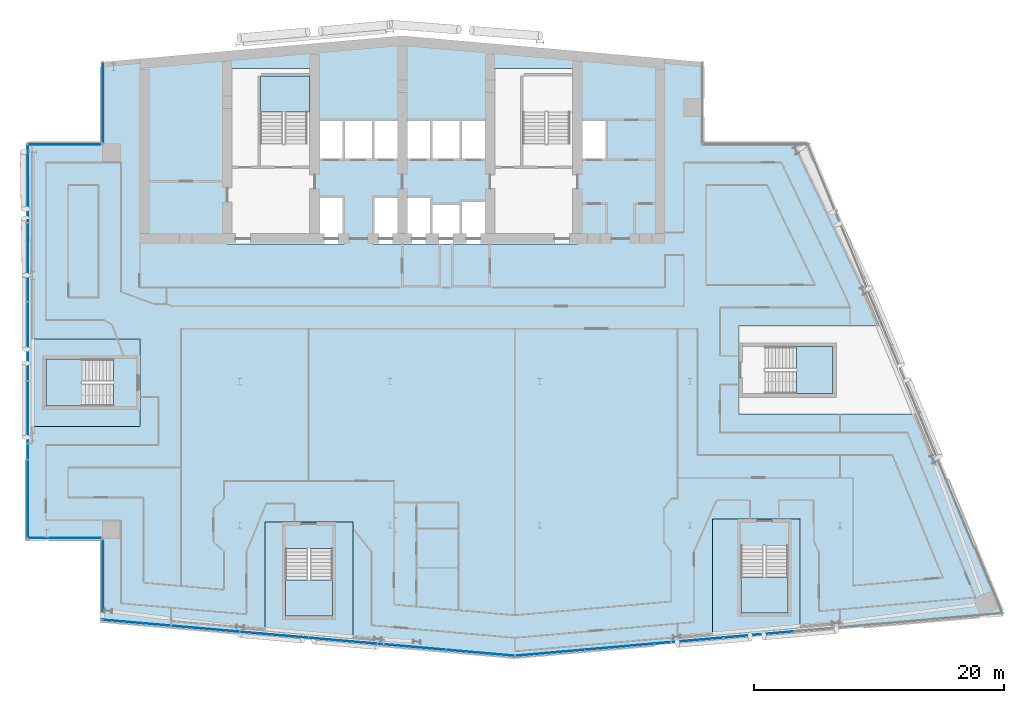
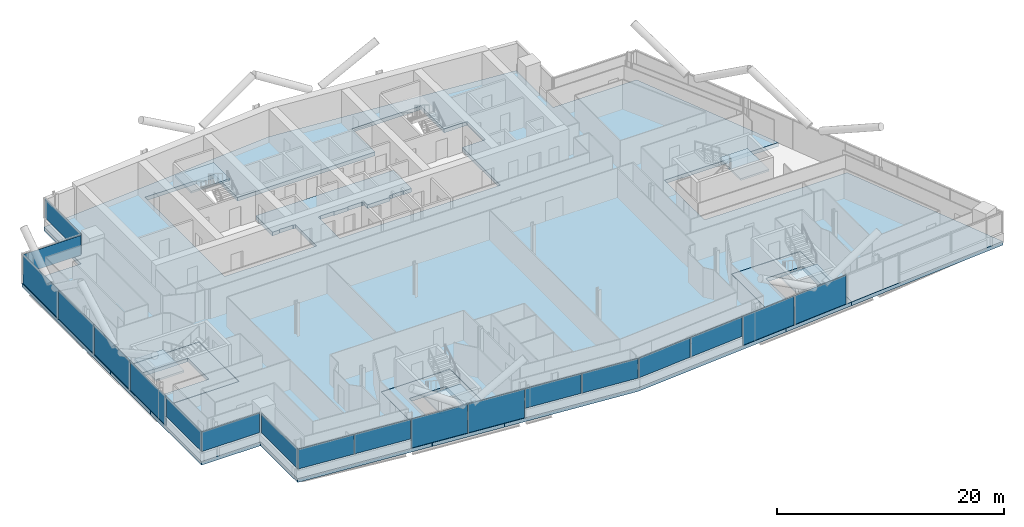
# One storey, part 12 of 28: 19 plates, 9 slabs, 12 elements without a shape of their own.
"""IFC4 building model written with IfcOpenShell, lengths in metres."""

from ifc_helpers import new_model, si_unit, direction, frame, origin, origin_2d, place, context, subcontext, project, spatial, polyline, rectangle, outline, extrude, material, layer, layer_set, type_object, element, aggregate, save


model = new_model("IFC4")

# Units and contexts
model_context = context("Model", 3, precision=1e-05, world=origin(), true_north=direction((0.0, 1.0)))
body_context = subcontext(model_context, "Body", "Model", "MODEL_VIEW")
ifc_project = project(units=[si_unit("LENGTHUNIT", "METRE"), si_unit("AREAUNIT", "SQUARE_METRE"), si_unit("VOLUMEUNIT", "CUBIC_METRE"), si_unit("PLANEANGLEUNIT", "RADIAN"), si_unit("MASSUNIT", "GRAM", prefix="KILO")], contexts=[model_context])

# Site, building, storey
site_placement = place(None, origin())
site = spatial("IfcSite", under=ifc_project, at=site_placement, CompositionType="ELEMENT")
building_placement = place(site_placement, origin())
building = spatial("IfcBuilding", under=site, at=building_placement, Name="Wharfspan Tower", CompositionType="ELEMENT")
storey_placement = place(building_placement, frame((0.0, 0.0, 187.899902)))
storey = spatial("IfcBuildingStorey", under=building, at=storey_placement, Name="L46", CompositionType="ELEMENT", Elevation=187.899902)

# Curtain wall, plates
ifc_material_1 = material(Name="Aluminium 6063-T6", Category="aluminium")
curtain_wall_type_1 = type_object("IfcCurtainWallType", Name="CURTAIN WALL FACETED FRONT", PredefinedType="NOTDEFINED", material=ifc_material_1)
curtain_wall_1_placement = place(storey_placement, origin())
curtain_wall_1 = element("IfcCurtainWall", 1, at=curtain_wall_1_placement, inside=storey, type_object=curtain_wall_type_1, Name="Curtain wall S1", PredefinedType="NOTDEFINED")
ifc_material_2 = material(Name="Glass clear low-iron double glazing", Category="glass")
ifc_layer_1 = layer(ifc_material_2, 0.040039)
ifc_layer_set_1 = layer_set([ifc_layer_1], Name="Glass clear low-iron double glazing")
plate_type_1 = type_object("IfcPlateType", Name="GLASS PANEL FACETED FRONT 40", PredefinedType="CURTAIN_PANEL", material=ifc_layer_set_1)
plate_1_placement = place(storey_placement, frame((15.770264, 3.692871, 1.0), z_axis=(0.0, 0.0, 1.0), x_axis=(0.996198, -0.087156, 0.0)))
plate_1 = element("IfcPlate", 2, at=plate_1_placement, type_object=plate_type_1, Name="Curtain wall S1 panel 1", PredefinedType="CURTAIN_PANEL", context=body_context, shape_type="SweptSolid", body=[
    extrude(rectangle(XDim=5.430908, YDim=0.040039, at=origin_2d()), origin(), (0.0, 0.0, 1.0), 2.120117),
])
plate_2_placement = place(storey_placement, frame((21.255127, 3.213135, 1.0), z_axis=(0.0, 0.0, 1.0), x_axis=(0.996198, -0.087156, 0.0)))
plate_2 = element("IfcPlate", 3, at=plate_2_placement, type_object=plate_type_1, Name="Curtain wall S1 panel 2", PredefinedType="CURTAIN_PANEL", context=body_context, shape_type="SweptSolid", body=[
    extrude(rectangle(XDim=5.460938, YDim=0.040039, at=origin_2d()), origin(), (0.0, 0.0, 1.0), 2.120117),
])
plate_3_placement = place(storey_placement, frame((37.755127, 1.769531, 1.0), z_axis=(0.0, 0.0, 1.0), x_axis=(0.996198, -0.087156, 0.0)))
plate_3 = element("IfcPlate", 4, at=plate_3_placement, type_object=plate_type_1, Name="Curtain wall S1 panel 5", PredefinedType="CURTAIN_PANEL", context=body_context, shape_type="SweptSolid", body=[
    extrude(rectangle(XDim=5.460938, YDim=0.040039, at=origin_2d()), origin(), (0.0, 0.0, 1.0), 2.120117),
])
plate_4_placement = place(storey_placement, frame((43.240234, 1.289551, 1.0), z_axis=(0.0, 0.0, 1.0), x_axis=(0.996198, -0.087156, 0.0)))
plate_4 = element("IfcPlate", 5, at=plate_4_placement, type_object=plate_type_1, Name="Curtain wall S1 panel 6", PredefinedType="CURTAIN_PANEL", context=body_context, shape_type="SweptSolid", body=[
    extrude(rectangle(XDim=5.430908, YDim=0.040039, at=origin_2d()), origin(), (0.0, 0.0, 1.0), 2.120117),
])

curtain_wall_2_placement = place(storey_placement, origin())
curtain_wall_2 = element("IfcCurtainWall", 6, at=curtain_wall_2_placement, inside=storey, type_object=curtain_wall_type_1, Name="Curtain wall S2", PredefinedType="NOTDEFINED")
plate_5_placement = place(storey_placement, frame((48.79541, 1.292725, 1.0), z_axis=(0.0, 0.0, 1.0), x_axis=(0.996198, 0.087156, 0.0)))
plate_5 = element("IfcPlate", 7, at=plate_5_placement, type_object=plate_type_1, Name="Curtain wall S2 panel 1", PredefinedType="CURTAIN_PANEL", context=body_context, shape_type="SweptSolid", body=[
    extrude(rectangle(XDim=5.502686, YDim=0.040039, at=origin_2d()), origin(), (0.0, 0.0, 1.0), 2.120117),
])
plate_6_placement = place(storey_placement, frame((54.351807, 1.778809, 1.0), z_axis=(0.0, 0.0, 1.0), x_axis=(0.996198, 0.087156, 0.0)))
plate_6 = element("IfcPlate", 8, at=plate_6_placement, type_object=plate_type_1, Name="Curtain wall S2 panel 2", PredefinedType="CURTAIN_PANEL", context=body_context, shape_type="SweptSolid", body=[
    extrude(rectangle(XDim=5.532715, YDim=0.040039, at=origin_2d()), origin(), (0.0, 0.0, 1.0), 2.120117),
])

# Curtain wall, plate
curtain_wall_type_2 = type_object("IfcCurtainWallType", Name="CURTAIN WALL PROW AND END", PredefinedType="NOTDEFINED", material=ifc_material_1)
curtain_wall_3_placement = place(storey_placement, origin())
curtain_wall_3 = element("IfcCurtainWall", 9, at=curtain_wall_3_placement, inside=storey, type_object=curtain_wall_type_2, Name="Curtain wall NRW-V", PredefinedType="NOTDEFINED")
ifc_layer_2 = layer(ifc_material_2, 0.040039)
ifc_layer_set_2 = layer_set([ifc_layer_2], Name="Glass clear low-iron double glazing")
plate_type_2 = type_object("IfcPlateType", Name="GLASS PANEL PROW AND END 40", PredefinedType="CURTAIN_PANEL", material=ifc_layer_set_2)
plate_7_placement = place(storey_placement, frame((13.080078, 45.262451, 1.0), z_axis=(0.0, 0.0, 1.0), x_axis=(0.0, -1.0, 0.0)))
plate_7 = element("IfcPlate", 10, at=plate_7_placement, type_object=plate_type_2, Name="Curtain wall NRW-V panel 1", PredefinedType="CURTAIN_PANEL", context=body_context, shape_type="SweptSolid", body=[
    extrude(rectangle(XDim=6.405029, YDim=0.040039, at=origin_2d()), origin(), (0.0, 0.0, 1.0), 2.120117),
])
aggregate(curtain_wall_3, [plate_7])

curtain_wall_4_placement = place(storey_placement, origin())
curtain_wall_4 = element("IfcCurtainWall", 11, at=curtain_wall_4_placement, inside=storey, type_object=curtain_wall_type_2, Name="Curtain wall NRW-H", PredefinedType="NOTDEFINED")
plate_8_placement = place(storey_placement, frame((10.0, 41.919922, 1.0), z_axis=(0.0, 0.0, 1.0), x_axis=(-1.0, 0.0, 0.0)))
plate_8 = element("IfcPlate", 12, at=plate_8_placement, type_object=plate_type_2, Name="Curtain wall NRW-H panel 1", PredefinedType="CURTAIN_PANEL", context=body_context, shape_type="SweptSolid", body=[
    extrude(rectangle(XDim=5.879883, YDim=0.040039, at=origin_2d()), origin(), (0.0, 0.0, 1.0), 2.120117),
])
aggregate(curtain_wall_4, [plate_8])

curtain_wall_5_placement = place(storey_placement, origin())
curtain_wall_5 = element("IfcCurtainWall", 13, at=curtain_wall_5_placement, inside=storey, type_object=curtain_wall_type_2, Name="Curtain wall W", PredefinedType="NOTDEFINED")
plate_9_placement = place(storey_placement, frame((7.080078, 13.574951, 1.0), z_axis=(0.0, 0.0, 1.0), x_axis=(0.0, -1.0, 0.0)))
plate_9 = element("IfcPlate", 14, at=plate_9_placement, type_object=plate_type_2, Name="Curtain wall W panel 5", PredefinedType="CURTAIN_PANEL", context=body_context, shape_type="SweptSolid", body=[
    extrude(rectangle(XDim=6.22998, YDim=0.040039, at=origin_2d()), origin(), (0.0, 0.0, 1.0), 2.120117),
])

curtain_wall_6_placement = place(storey_placement, origin())
curtain_wall_6 = element("IfcCurtainWall", 15, at=curtain_wall_6_placement, inside=storey, type_object=curtain_wall_type_2, Name="Curtain wall NFW-H", PredefinedType="NOTDEFINED")
plate_10_placement = place(storey_placement, frame((10.0, 10.47998, 1.0), z_axis=(0.0, 0.0, 1.0), x_axis=(1.0, 0.0, 0.0)))
plate_10 = element("IfcPlate", 16, at=plate_10_placement, type_object=plate_type_2, Name="Curtain wall NFW-H panel 1", PredefinedType="CURTAIN_PANEL", context=body_context, shape_type="SweptSolid", body=[
    extrude(rectangle(XDim=5.879883, YDim=0.040039, at=origin_2d()), origin(), (0.0, 0.0, 1.0), 2.120117),
])
aggregate(curtain_wall_6, [plate_10])

curtain_wall_7_placement = place(storey_placement, origin())
curtain_wall_7 = element("IfcCurtainWall", 17, at=curtain_wall_7_placement, inside=storey, type_object=curtain_wall_type_2, Name="Curtain wall NFW-V", PredefinedType="NOTDEFINED")
plate_11_placement = place(storey_placement, frame((13.080078, 7.137451, 1.0), z_axis=(0.0, 0.0, 1.0), x_axis=(0.0, -1.0, 0.0)))
plate_11 = element("IfcPlate", 18, at=plate_11_placement, type_object=plate_type_2, Name="Curtain wall NFW-V panel 1", PredefinedType="CURTAIN_PANEL", context=body_context, shape_type="SweptSolid", body=[
    extrude(rectangle(XDim=6.405029, YDim=0.040039, at=origin_2d()), origin(), (0.0, 0.0, 1.0), 2.120117),
])
aggregate(curtain_wall_7, [plate_11])

# Plate
ifc_material_3 = material(Name="Aluminium composite opaque insulated panel", Category="aluminium")
ifc_layer_3 = layer(ifc_material_3, 0.040039)
ifc_layer_set_3 = layer_set([ifc_layer_3], Name="Aluminium composite opaque insulated panel")
plate_type_3 = type_object("IfcPlateType", Name="INFILL PANEL FACETED FRONT OPAQUE 40", PredefinedType="SHEET", material=ifc_layer_set_3)
plate_12_placement = place(storey_placement, frame((26.755127, 2.731934, 0.0), z_axis=(0.0, 0.0, 1.0), x_axis=(0.996198, -0.087156, 0.0)))
plate_12 = element("IfcPlate", 19, at=plate_12_placement, type_object=plate_type_3, Name="Curtain wall S1 panel 3", PredefinedType="SHEET", context=body_context, shape_type="SweptSolid", body=[
    extrude(rectangle(XDim=5.460938, YDim=0.040039, at=origin_2d()), origin(), (0.0, 0.0, 1.0), 3.120117),
])

plate_13_placement = place(storey_placement, frame((32.255127, 2.250732, 0.0), z_axis=(0.0, 0.0, 1.0), x_axis=(0.996198, -0.087156, 0.0)))
plate_13 = element("IfcPlate", 20, at=plate_13_placement, type_object=plate_type_3, Name="Curtain wall S1 panel 4", PredefinedType="SHEET", context=body_context, shape_type="SweptSolid", body=[
    extrude(rectangle(XDim=5.460938, YDim=0.040039, at=origin_2d()), origin(), (0.0, 0.0, 1.0), 3.120117),
])

aggregate(curtain_wall_1, [plate_1, plate_2, plate_12, plate_13, plate_3, plate_4])

plate_14_placement = place(storey_placement, frame((59.92334, 2.266357, 0.0), z_axis=(0.0, 0.0, 1.0), x_axis=(0.996198, 0.087156, 0.0)))
plate_14 = element("IfcPlate", 21, at=plate_14_placement, type_object=plate_type_3, Name="Curtain wall S2 panel 3", PredefinedType="SHEET", context=body_context, shape_type="SweptSolid", body=[
    extrude(rectangle(XDim=5.532715, YDim=0.040039, at=origin_2d()), origin(), (0.0, 0.0, 1.0), 3.120117),
])

plate_15_placement = place(storey_placement, frame((65.494873, 2.753662, 0.0), z_axis=(0.0, 0.0, 1.0), x_axis=(0.996198, 0.087156, 0.0)))
plate_15 = element("IfcPlate", 22, at=plate_15_placement, type_object=plate_type_3, Name="Curtain wall S2 panel 4", PredefinedType="SHEET", context=body_context, shape_type="SweptSolid", body=[
    extrude(rectangle(XDim=5.532715, YDim=0.040039, at=origin_2d()), origin(), (0.0, 0.0, 1.0), 3.120117),
])

aggregate(curtain_wall_2, [plate_5, plate_6, plate_14, plate_15])

ifc_layer_4 = layer(ifc_material_3, 0.040039)
ifc_layer_set_4 = layer_set([ifc_layer_4], Name="Aluminium composite opaque insulated panel")
plate_type_4 = type_object("IfcPlateType", Name="INFILL PANEL PROW AND END OPAQUE 40", PredefinedType="SHEET", material=ifc_layer_set_4)
plate_16_placement = place(storey_placement, frame((7.080078, 38.824951, 0.0), z_axis=(0.0, 0.0, 1.0), x_axis=(0.0, -1.0, 0.0)))
plate_16 = element("IfcPlate", 23, at=plate_16_placement, type_object=plate_type_4, Name="Curtain wall W panel 1", PredefinedType="SHEET", context=body_context, shape_type="SweptSolid", body=[
    extrude(rectangle(XDim=6.22998, YDim=0.040039, at=origin_2d()), origin(), (0.0, 0.0, 1.0), 3.120117),
])

plate_17_placement = place(storey_placement, frame((7.080078, 32.52002, 0.0), z_axis=(0.0, 0.0, 1.0), x_axis=(0.0, -1.0, 0.0)))
plate_17 = element("IfcPlate", 24, at=plate_17_placement, type_object=plate_type_4, Name="Curtain wall W panel 2", PredefinedType="SHEET", context=body_context, shape_type="SweptSolid", body=[
    extrude(rectangle(XDim=6.26001, YDim=0.040039, at=origin_2d()), origin(), (0.0, 0.0, 1.0), 3.120117),
])

plate_18_placement = place(storey_placement, frame((7.080078, 26.199951, 0.0), z_axis=(0.0, 0.0, 1.0), x_axis=(0.0, -1.0, 0.0)))
plate_18 = element("IfcPlate", 25, at=plate_18_placement, type_object=plate_type_4, Name="Curtain wall W panel 3", PredefinedType="SHEET", context=body_context, shape_type="SweptSolid", body=[
    extrude(rectangle(XDim=6.26001, YDim=0.040039, at=origin_2d()), origin(), (0.0, 0.0, 1.0), 3.120117),
])

plate_19_placement = place(storey_placement, frame((7.080078, 19.879883, 0.0), z_axis=(0.0, 0.0, 1.0), x_axis=(0.0, -1.0, 0.0)))
plate_19 = element("IfcPlate", 26, at=plate_19_placement, type_object=plate_type_4, Name="Curtain wall W panel 4", PredefinedType="SHEET", context=body_context, shape_type="SweptSolid", body=[
    extrude(rectangle(XDim=6.26001, YDim=0.040039, at=origin_2d()), origin(), (0.0, 0.0, 1.0), 3.120117),
])

aggregate(curtain_wall_5, [plate_16, plate_17, plate_18, plate_19, plate_9])

# Slabs
ifc_material_4 = material(Name="Concrete C40/50", Category="concrete")
ifc_layer_5 = layer(ifc_material_4, 0.399902)
ifc_layer_set_5 = layer_set([ifc_layer_5], Name="Concrete C40/50")
slab_type_1 = type_object("IfcSlabType", Name="Post-tensioned flat slab 400", PredefinedType="FLOOR", material=ifc_layer_set_5)
slab_1_placement = place(storey_placement, frame((0.0, 0.0, -0.400146)))
element("IfcSlab", 27, at=slab_1_placement, inside=storey, type_object=slab_type_1, Name="Floor slab L46", PredefinedType="FLOOR", context=body_context, shape_type="SweptSolid", body=[
    extrude(outline(polyline([(26.029297, 2.735107), (26.029297, 11.744385), (33.049316, 11.744385), (33.049316, 2.121094), (46.0, 0.987793), (61.801514, 2.370361), (61.801514, 11.993652), (68.821289, 11.993652), (68.821289, 2.984619), (85.0, 4.399902), (78.398682, 20.389893), (63.894531, 20.389893), (63.894531, 27.409912), (75.500488, 27.409912), (69.477051, 42.0), (61.0, 42.0), (61.0, 48.524902), (37.0, 50.624756), (13.0, 48.524902), (13.0, 42.0), (7.0, 42.0), (7.0, 26.409912), (16.01001, 26.409912), (16.01001, 19.389893), (7.0, 19.389893), (7.0, 10.399902), (13.0, 10.399902), (13.0, 3.875), (26.029297, 2.735107)]), holes=[polyline([(32.126709, 37.76001), (32.343262, 37.76001), (32.343262, 33.98999), (22.98999, 33.98999), (22.98999, 48.01001), (30.01001, 48.01001), (30.01001, 43.909912), (43.98999, 43.909912), (43.98999, 48.01001), (51.01001, 48.01001), (51.01001, 43.909912), (53.343262, 43.909912), (53.343262, 40.689941), (51.01001, 40.689941), (51.01001, 33.98999), (34.656738, 33.98999), (34.656738, 37.76001), (34.873291, 37.76001), (34.873291, 37.810059), (36.293213, 37.810059), (36.293213, 37.76001), (37.666748, 37.76001), (37.666748, 37.810059), (39.166748, 37.810059), (39.166748, 37.76001), (39.343262, 37.76001), (39.343262, 37.209961), (41.656738, 37.209961), (41.656738, 37.459961), (42.023193, 37.459961), (42.023193, 37.51001), (43.143311, 37.51001), (43.143311, 37.459961), (43.98999, 37.459961), (43.98999, 40.689941), (30.01001, 40.689941), (30.01001, 37.76001), (30.706787, 37.76001), (30.706787, 37.810059), (32.126709, 37.810059), (32.126709, 37.76001)])]), origin(), (0.0, 0.0, 1.0), 0.400146),
])
slab_2_placement = place(storey_placement, frame((0.0, 0.0, -0.400146)))
element("IfcSlab", 28, at=slab_2_placement, inside=storey, type_object=slab_type_1, Name="Core floor slab L46 part 1", PredefinedType="FLOOR", context=body_context, shape_type="SweptSolid", body=[
    extrude(outline(polyline([(16.0, 20.725098), (16.0, 25.074951), (16.0, 26.399902), (7.0, 26.399902), (7.0, 19.399902), (16.0, 19.399902), (16.0, 20.725098)]), holes=[polyline([(13.899902, 24.7771), (13.900146, 24.7771), (13.900391, 24.7771), (13.900635, 24.776855), (13.900879, 24.776855), (13.900879, 24.776855), (13.901123, 24.776611), (13.901367, 24.776611), (13.901367, 24.776367), (13.901611, 24.776367), (13.901611, 24.776123), (13.901855, 24.775879), (13.901855, 24.775879), (13.901855, 24.775635), (13.9021, 24.775391), (13.9021, 24.775146), (13.9021, 24.774902), (13.9021, 21.024902), (13.9021, 21.024902), (13.9021, 21.024658), (13.901855, 21.024414), (13.901855, 21.02417), (13.901855, 21.02417), (13.901611, 21.023926), (13.901611, 21.023682), (13.901367, 21.023682), (13.901367, 21.023438), (13.901123, 21.023193), (13.900879, 21.023193), (13.900879, 21.023193), (13.900635, 21.023193), (13.900391, 21.022949), (13.900146, 21.022949), (13.899902, 21.022949), (8.5, 21.022949), (8.499756, 21.022949), (8.499512, 21.022949), (8.499512, 21.023193), (8.499268, 21.023193), (8.499023, 21.023193), (8.498779, 21.023193), (8.498779, 21.023438), (8.498535, 21.023682), (8.498535, 21.023682), (8.498291, 21.023926), (8.498291, 21.02417), (8.498291, 21.02417), (8.498047, 21.024414), (8.498047, 21.024658), (8.498047, 21.024902), (8.498047, 21.024902), (8.498047, 24.774902), (8.498047, 24.775146), (8.498047, 24.775391), (8.498047, 24.775635), (8.498291, 24.775879), (8.498291, 24.775879), (8.498291, 24.776123), (8.498535, 24.776367), (8.498535, 24.776367), (8.498779, 24.776611), (8.498779, 24.776611), (8.499023, 24.776855), (8.499268, 24.776855), (8.499512, 24.776855), (8.499512, 24.7771), (8.499756, 24.7771), (8.5, 24.7771), (13.899902, 24.7771)])]), origin(), (0.0, 0.0, 1.0), 0.400146),
])
slab_3_placement = place(storey_placement, frame((0.0, 0.0, -0.400146)))
element("IfcSlab", 29, at=slab_3_placement, inside=storey, type_object=slab_type_1, Name="Core floor slab L46 part 2", PredefinedType="FLOOR", context=body_context, shape_type="SweptSolid", body=[
    extrude(outline(polyline([(31.714111, 11.734375), (27.364258, 11.734375), (26.039307, 11.734375), (26.039307, 2.734375), (33.039307, 2.121826), (33.039307, 11.734375), (31.714111, 11.734375)]), holes=[polyline([(27.662109, 9.634277), (27.662109, 9.634521), (27.662354, 9.634766), (27.662354, 9.63501), (27.662354, 9.63501), (27.662598, 9.635254), (27.662598, 9.635498), (27.662598, 9.635498), (27.662842, 9.635742), (27.663086, 9.635742), (27.663086, 9.635986), (27.66333, 9.635986), (27.663574, 9.635986), (27.663574, 9.63623), (27.663818, 9.63623), (27.664062, 9.63623), (27.664307, 9.63623), (31.414307, 9.63623), (31.414307, 9.63623), (31.414551, 9.63623), (31.414795, 9.63623), (31.415039, 9.635986), (31.415283, 9.635986), (31.415283, 9.635986), (31.415527, 9.635742), (31.415527, 9.635742), (31.415771, 9.635498), (31.416016, 9.635498), (31.416016, 9.635254), (31.416016, 9.63501), (31.416016, 9.63501), (31.41626, 9.634766), (31.41626, 9.634521), (31.41626, 9.634277), (31.41626, 4.234375), (31.41626, 4.234131), (31.41626, 4.233887), (31.416016, 4.233643), (31.416016, 4.233398), (31.416016, 4.233398), (31.416016, 4.233154), (31.415771, 4.23291), (31.415527, 4.23291), (31.415527, 4.232666), (31.415283, 4.232666), (31.415283, 4.232422), (31.415039, 4.232422), (31.414795, 4.232422), (31.414551, 4.232422), (31.414307, 4.232422), (31.414307, 4.232422), (27.664307, 4.232422), (27.664062, 4.232422), (27.663818, 4.232422), (27.663574, 4.232422), (27.663574, 4.232422), (27.66333, 4.232422), (27.663086, 4.232666), (27.663086, 4.232666), (27.662842, 4.23291), (27.662598, 4.23291), (27.662598, 4.233154), (27.662598, 4.233398), (27.662354, 4.233398), (27.662354, 4.233643), (27.662354, 4.233887), (27.662109, 4.234131), (27.662109, 4.234375), (27.662109, 9.634277)])]), origin(), (0.0, 0.0, 1.0), 0.400146),
])
slab_4_placement = place(storey_placement, frame((0.0, 0.0, -0.400146)))
element("IfcSlab", 30, at=slab_4_placement, inside=storey, type_object=slab_type_1, Name="Core floor slab L46 part 4", PredefinedType="FLOOR", context=body_context, shape_type="SweptSolid", body=[
    extrude(outline(polyline([(68.811279, 11.983643), (68.136475, 11.983643), (63.786377, 11.983643), (61.811279, 11.983643), (61.811279, 2.371338), (68.811279, 2.983643), (68.811279, 11.983643)]), holes=[polyline([(64.084473, 9.883789), (64.084473, 9.883789), (64.084473, 9.884033), (64.084473, 9.884277), (64.084473, 9.884521), (64.084717, 9.884521), (64.084717, 9.884766), (64.084717, 9.88501), (64.084961, 9.88501), (64.085205, 9.885254), (64.085205, 9.885254), (64.085449, 9.885498), (64.085693, 9.885498), (64.085693, 9.885498), (64.085938, 9.885498), (64.086182, 9.885742), (64.086426, 9.885742), (67.836426, 9.885742), (67.836426, 9.885742), (67.83667, 9.885498), (67.836914, 9.885498), (67.837158, 9.885498), (67.837402, 9.885498), (67.837402, 9.885254), (67.837646, 9.885254), (67.837891, 9.88501), (67.837891, 9.88501), (67.837891, 9.884766), (67.838135, 9.884521), (67.838135, 9.884521), (67.838379, 9.884277), (67.838379, 9.884033), (67.838379, 9.883789), (67.838379, 9.883789), (67.838379, 4.483643), (67.838379, 4.483398), (67.838379, 4.483398), (67.838379, 4.483154), (67.838135, 4.48291), (67.838135, 4.482666), (67.837891, 4.482666), (67.837891, 4.482422), (67.837891, 4.482422), (67.837646, 4.482178), (67.837402, 4.481934), (67.837402, 4.481934), (67.837158, 4.481689), (67.836914, 4.481689), (67.83667, 4.481689), (67.836426, 4.481689), (67.836426, 4.481689), (64.086426, 4.481689), (64.086182, 4.481689), (64.085938, 4.481689), (64.085693, 4.481689), (64.085693, 4.481689), (64.085449, 4.481934), (64.085205, 4.481934), (64.085205, 4.482178), (64.084961, 4.482422), (64.084717, 4.482422), (64.084717, 4.482666), (64.084717, 4.482666), (64.084473, 4.48291), (64.084473, 4.483154), (64.084473, 4.483398), (64.084473, 4.483398), (64.084473, 4.483643), (64.084473, 9.883789)])]), origin(), (0.0, 0.0, 1.0), 0.400146),
])

# Stair, slab
stair_type = type_object("IfcStairType", Name="Half-turn stair 20 risers 180 mm", PredefinedType="HALF_TURN_STAIR", material=ifc_material_4)
stair_1_placement = place(storey_placement, origin())
stair_1 = element("IfcStair", 31, at=stair_1_placement, inside=storey, type_object=stair_type, Name="L46 stair ST1", PredefinedType="HALF_TURN_STAIR")
ifc_layer_6 = layer(ifc_material_4, 0.199951)
ifc_layer_set_6 = layer_set([ifc_layer_6], Name="Concrete C40/50")
slab_type_2 = type_object("IfcSlabType", Name="Stair landing 200", PredefinedType="LANDING", material=ifc_layer_set_6)
slab_5_placement = place(storey_placement, frame((0.0, 0.0, 1.599854)))
slab_5 = element("IfcSlab", 32, at=slab_5_placement, type_object=slab_type_2, Name="ST1 landing 1", PredefinedType="LANDING", context=body_context, shape_type="SweptSolid", body=[
    extrude(outline(polyline([(25.649902, 44.52002), (29.600098, 44.52002), (29.600098, 47.399902), (25.649902, 47.399902), (25.649902, 44.52002)])), origin(), (0.0, 0.0, 1.0), 0.200195),
])
aggregate(stair_1, [slab_5])

stair_2_placement = place(storey_placement, origin())
stair_2 = element("IfcStair", 33, at=stair_2_placement, inside=storey, type_object=stair_type, Name="L46 stair ST3", PredefinedType="HALF_TURN_STAIR")
slab_6_placement = place(storey_placement, frame((0.0, 0.0, 1.599854)))
slab_6 = element("IfcSlab", 34, at=slab_6_placement, type_object=slab_type_2, Name="ST3 landing 1", PredefinedType="LANDING", context=body_context, shape_type="SweptSolid", body=[
    extrude(outline(polyline([(11.379883, 24.774902), (8.5, 24.774902), (8.5, 21.024902), (11.379883, 21.024902), (11.379883, 24.774902)])), origin(), (0.0, 0.0, 1.0), 0.200195),
])
aggregate(stair_2, [slab_6])

stair_3_placement = place(storey_placement, origin())
stair_3 = element("IfcStair", 35, at=stair_3_placement, inside=storey, type_object=stair_type, Name="L46 stair ST4", PredefinedType="HALF_TURN_STAIR")
slab_7_placement = place(storey_placement, frame((0.0, 0.0, 1.599854)))
slab_7 = element("IfcSlab", 36, at=slab_7_placement, type_object=slab_type_2, Name="ST4 landing 1", PredefinedType="LANDING", context=body_context, shape_type="SweptSolid", body=[
    extrude(outline(polyline([(27.664307, 7.114258), (27.664307, 4.234375), (31.414307, 4.234375), (31.414307, 7.114258), (27.664307, 7.114258)])), origin(), (0.0, 0.0, 1.0), 0.200195),
])
aggregate(stair_3, [slab_7])

stair_4_placement = place(storey_placement, origin())
stair_4 = element("IfcStair", 37, at=stair_4_placement, inside=storey, type_object=stair_type, Name="L46 stair ST5", PredefinedType="HALF_TURN_STAIR")
slab_8_placement = place(storey_placement, frame((0.0, 0.0, 1.599854)))
slab_8 = element("IfcSlab", 38, at=slab_8_placement, type_object=slab_type_2, Name="ST5 landing 1", PredefinedType="LANDING", context=body_context, shape_type="SweptSolid", body=[
    extrude(outline(polyline([(64.086426, 7.36377), (64.086426, 4.483643), (67.836426, 4.483643), (67.836426, 7.36377), (64.086426, 7.36377)])), origin(), (0.0, 0.0, 1.0), 0.200195),
])
aggregate(stair_4, [slab_8])

stair_5_placement = place(storey_placement, origin())
stair_5 = element("IfcStair", 39, at=stair_5_placement, inside=storey, type_object=stair_type, Name="L46 stair ST6", PredefinedType="HALF_TURN_STAIR")
slab_9_placement = place(storey_placement, frame((0.0, 0.0, 1.599854)))
slab_9 = element("IfcSlab", 40, at=slab_9_placement, type_object=slab_type_2, Name="ST6 landing 1", PredefinedType="LANDING", context=body_context, shape_type="SweptSolid", body=[
    extrude(outline(polyline([(68.524658, 22.024902), (71.404541, 22.024902), (71.404541, 25.774902), (68.524658, 25.774902), (68.524658, 22.024902)])), origin(), (0.0, 0.0, 1.0), 0.200195),
])
aggregate(stair_5, [slab_9])

save(model, "model.ifc")
